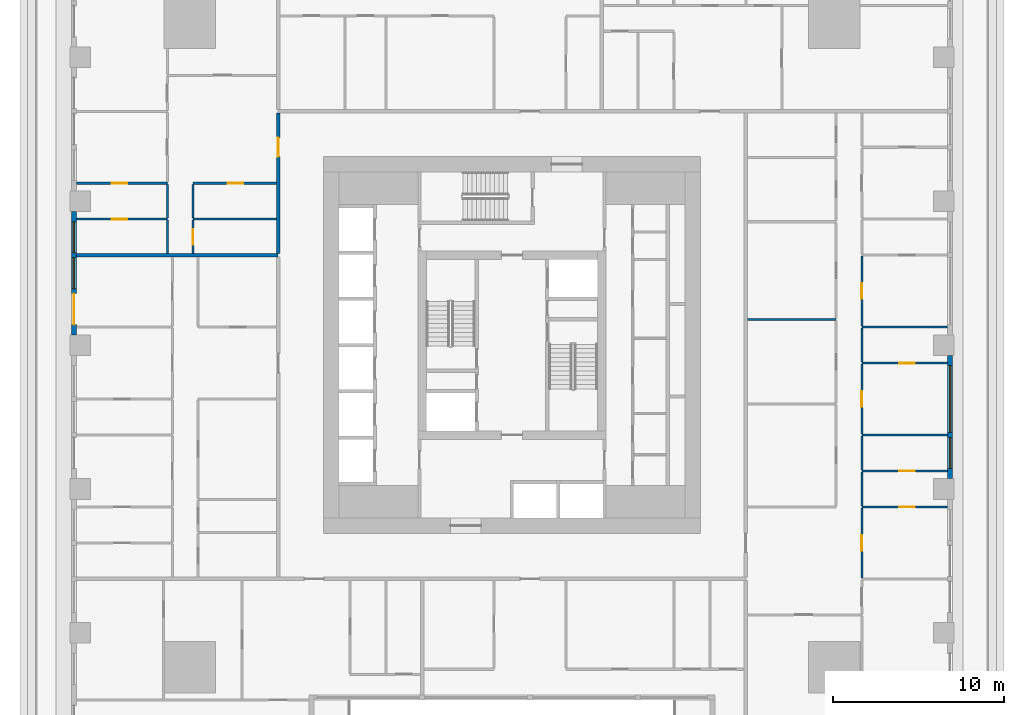
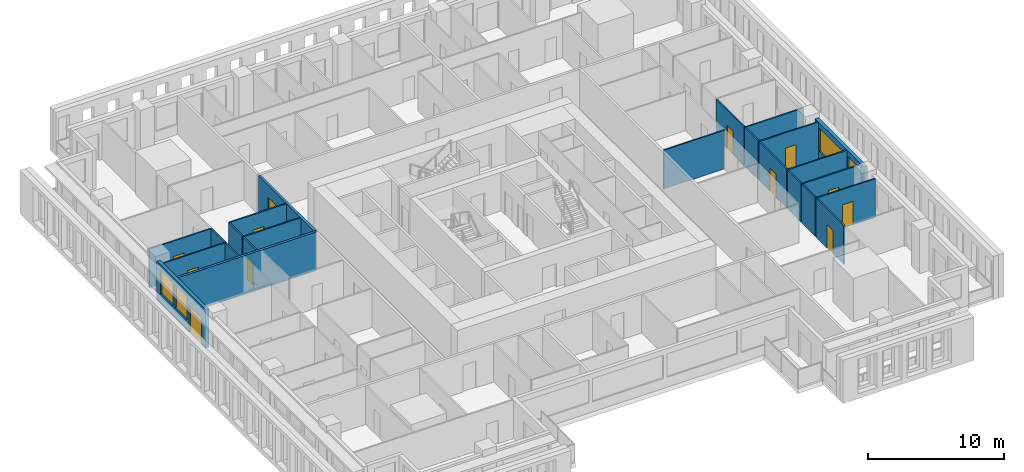
# One storey, part 6 of 15: 24 walls, 12 doors, 4 windows, 16 openings.
"""IFC4 building model written with IfcOpenShell, lengths in metres."""

from ifc_helpers import new_model, si_unit, direction, frame, frame_2d, origin, place, context, subcontext, project, spatial, rectangle, extrude, material, layer, layer_set, type_object, element, fill, save


model = new_model("IFC4")

# Units and contexts
model_context = context("Model", 3, precision=1e-05, world=origin(), true_north=direction((0.0, 1.0)))
body_context = subcontext(model_context, "Body", "Model", "MODEL_VIEW")
ifc_project = project(units=[si_unit("LENGTHUNIT", "METRE"), si_unit("AREAUNIT", "SQUARE_METRE"), si_unit("VOLUMEUNIT", "CUBIC_METRE"), si_unit("PLANEANGLEUNIT", "RADIAN"), si_unit("MASSUNIT", "GRAM", prefix="KILO")], contexts=[model_context])

# Site, building, storey
site_placement = place(None, origin())
site = spatial("IfcSite", under=ifc_project, at=site_placement, CompositionType="ELEMENT")
building_placement = place(site_placement, origin())
building = spatial("IfcBuilding", under=site, at=building_placement, Name="Khepri Terraces", CompositionType="ELEMENT")
storey_placement = place(building_placement, frame((0.0, 0.0, 58.199951171875)))
storey = spatial("IfcBuildingStorey", under=building, at=storey_placement, Name="L13", CompositionType="ELEMENT", Elevation=58.199951171875)

# Wall
ifc_material_1 = material(Name="Fire-rated gypsum plasterboard partition, mineral wool")
ifc_layer_1 = layer(ifc_material_1, 0.199951171875, Name="Fire-rated gypsum plasterboard partition, mineral wool")
ifc_layer_set_1 = layer_set([ifc_layer_1], Name="Fire-rated gypsum plasterboard partition, mineral wool")
wall_type_1 = type_object("IfcWallType", Name="WL-CORR-200", PredefinedType="PARTITIONING", material=ifc_layer_set_1)
wall_1_placement = place(storey_placement, frame((-25.419921875, 5.25, 0.0), z_axis=(0.0, 0.0, 1.0), x_axis=(1.0, 0.0, 0.0)))
element("IfcWall", 1, at=wall_1_placement, inside=storey, type_object=wall_type_1, Name="Partition P-058 L13", PredefinedType="PARTITIONING", context=body_context, shape_type="SweptSolid", body=[
    extrude(rectangle(XDim=11.77001953125, YDim=0.199951171875, at=frame_2d((5.885009765625, 0.0))), origin(), (0.0, 0.0, 1.0), 3.47998046875),
])

# Wall, opening, door
wall_2_placement = place(storey_placement, frame((-13.64990234375, 5.35009765625, 0.0), z_axis=(0.0, 0.0, 1.0), x_axis=(0.0, 1.0, 0.0)))
wall_2 = element("IfcWall", 2, at=wall_2_placement, inside=storey, type_object=wall_type_1, Name="Partition P-063 L13", PredefinedType="PARTITIONING", context=body_context, shape_type="SweptSolid", body=[
    extrude(rectangle(XDim=8.199951171875, YDim=0.199951171875, at=frame_2d((4.10009765625, 0.0))), origin(), (0.0, 0.0, 1.0), 3.47998046875),
])
opening_1_placement = place(wall_2_placement, frame((5.64990234375, 0.0, 0.0)))
opening_1 = element("IfcOpeningElement", 3, at=opening_1_placement, cuts=wall_2, Name="Opening D1", PredefinedType="OPENING", context=body_context, shape_type="SweptSolid", body=[
    extrude(rectangle(XDim=1.10009765625, YDim=2.39990234375, at=frame_2d((0.550048828125, 1.199951171875))), frame((0.0, 0.10986328125, 0.0), z_axis=(0.0, -1.0, 0.0), x_axis=(1.0, 0.0, 0.0)), (0.0, 0.0, 1.0), 0.219970703125),
])
ifc_material_2 = material(Name="Solid-core timber door leaf, flat entrance door", Category="wood")
door_type_1 = type_object("IfcDoorType", Name="DR-ENT-1100", OperationType="NOTDEFINED", PredefinedType="DOOR", material=ifc_material_2)
door_1_placement = place(opening_1_placement, origin())
door_1 = element("IfcDoor", 4, at=door_1_placement, inside=storey, type_object=door_type_1, Name="Flat D1 entrance door", OperationType="SINGLE_SWING_RIGHT", OverallHeight=2.39990234375, OverallWidth=1.10009765625, PredefinedType="DOOR", context=body_context, shape_type="SweptSolid", body=[
    extrude(rectangle(XDim=1.10009765625, YDim=2.39990234375, at=frame_2d((0.550048828125, 1.199951171875))), frame((0.0, 0.02490234375, 0.0), z_axis=(0.0, -1.0, 0.0), x_axis=(1.0, 0.0, 0.0)), (0.0, 0.0, 1.0), 0.050048828125),
])
fill(opening_1, door_1)

# Wall, openings, windows
ifc_material_3 = material(Name="Precast concrete C50/60 warm stone", Category="masonry")
ifc_layer_2 = layer(ifc_material_3, 0.300048828125, Name="Precast concrete C50/60 warm stone", Category="masonry")
ifc_layer_set_2 = layer_set([ifc_layer_2], Name="Precast concrete C50/60 warm stone")
wall_type_2 = type_object("IfcWallType", Name="WL-EXT-PRECAST-300", PredefinedType="STANDARD", material=ifc_layer_set_2)
wall_3_placement = place(storey_placement, frame((25.570068359375, -7.800048828125, 0.0), z_axis=(0.0, 0.0, 1.0), x_axis=(0.0, 1.0, 0.0)))
wall_3 = element("IfcWall", 5, at=wall_3_placement, inside=storey, type_object=wall_type_2, Name="External wall L13 E", PredefinedType="STANDARD", context=body_context, shape_type="SweptSolid", body=[
    extrude(rectangle(XDim=7.199951171875, YDim=0.300048828125, at=frame_2d((3.60009765625, 0.0))), origin(), (0.0, 0.0, 1.0), 3.47998046875),
])
opening_2_placement = place(wall_3_placement, frame((0.60009765625, 0.0, 0.89990234375)))
opening_2 = element("IfcOpeningElement", 6, at=opening_2_placement, cuts=wall_3, Name="Opening W1", PredefinedType="OPENING", context=body_context, shape_type="SweptSolid", body=[
    extrude(rectangle(XDim=1.800048828125, YDim=2.10009765625, at=frame_2d((0.89990234375, 1.050048828125))), frame((0.0, 0.16015625, 0.0), z_axis=(0.0, -1.0, 0.0), x_axis=(1.0, 0.0, 0.0)), (0.0, 0.0, 1.0), 0.320068359375),
])
opening_3_placement = place(wall_3_placement, frame((2.699951171875, 0.0, 0.89990234375)))
opening_3 = element("IfcOpeningElement", 7, at=opening_3_placement, cuts=wall_3, Name="Opening W2", PredefinedType="OPENING", context=body_context, shape_type="SweptSolid", body=[
    extrude(rectangle(XDim=3.89990234375, YDim=2.10009765625, at=frame_2d((1.949951171875, 1.050048828125))), frame((0.0, 0.16015625, 0.0), z_axis=(0.0, -1.0, 0.0), x_axis=(1.0, 0.0, 0.0)), (0.0, 0.0, 1.0), 0.320068359375),
])
ifc_material_4 = material(Name="Clear glass", Category="glass")
window_type_1 = type_object("IfcWindowType", Name="WIN-RES-1800x2100", PartitioningType="SINGLE_PANEL", PredefinedType="WINDOW", material=ifc_material_4)
window_1_placement = place(opening_2_placement, origin())
window_1 = element("IfcWindow", 8, at=window_1_placement, inside=storey, type_object=window_type_1, Name="Window L13 E", OverallHeight=2.10009765625, OverallWidth=1.800048828125, PartitioningType="SINGLE_PANEL", PredefinedType="WINDOW", context=body_context, shape_type="SweptSolid", body=[
    extrude(rectangle(XDim=1.800048828125, YDim=2.10009765625, at=frame_2d((0.89990234375, 1.050048828125))), frame((0.0, 0.030029296875, 0.0), z_axis=(0.0, -1.0, 0.0), x_axis=(1.0, 0.0, 0.0)), (0.0, 0.0, 1.0), 0.06005859375),
])
fill(opening_2, window_1)
window_type_2 = type_object("IfcWindowType", Name="WIN-RES-3900x2100", PartitioningType="SINGLE_PANEL", PredefinedType="WINDOW", material=ifc_material_4)
window_2_placement = place(opening_3_placement, origin())
window_2 = element("IfcWindow", 9, at=window_2_placement, inside=storey, type_object=window_type_2, Name="Window L13 E", OverallHeight=2.10009765625, OverallWidth=3.89990234375, PartitioningType="SINGLE_PANEL", PredefinedType="WINDOW", context=body_context, shape_type="SweptSolid", body=[
    extrude(rectangle(XDim=3.89990234375, YDim=2.10009765625, at=frame_2d((1.949951171875, 1.050048828125))), frame((0.0, 0.030029296875, 0.0), z_axis=(0.0, -1.0, 0.0), x_axis=(1.0, 0.0, 0.0)), (0.0, 0.0, 1.0), 0.06005859375),
])
fill(opening_3, window_2)

# Wall, openings, door, windows
wall_4_placement = place(storey_placement, frame((-25.570068359375, 7.800048828125, 0.0), z_axis=(0.0, 0.0, 1.0), x_axis=(0.0, -1.0, 0.0)))
wall_4 = element("IfcWall", 10, at=wall_4_placement, inside=storey, type_object=wall_type_2, Name="External wall L13 W", PredefinedType="STANDARD", context=body_context, shape_type="SweptSolid", body=[
    extrude(rectangle(XDim=7.199951171875, YDim=0.300048828125, at=frame_2d((3.60009765625, 0.0))), origin(), (0.0, 0.0, 1.0), 3.47998046875),
])
opening_4_placement = place(wall_4_placement, frame((0.60009765625, 0.0, 0.89990234375)))
opening_4 = element("IfcOpeningElement", 11, at=opening_4_placement, cuts=wall_4, Name="Opening W1", PredefinedType="OPENING", context=body_context, shape_type="SweptSolid", body=[
    extrude(rectangle(XDim=1.800048828125, YDim=2.10009765625, at=frame_2d((0.89990234375, 1.050048828125))), frame((0.0, 0.16015625, 0.0), z_axis=(0.0, -1.0, 0.0), x_axis=(1.0, 0.0, 0.0)), (0.0, 0.0, 1.0), 0.320068359375),
])
opening_5_placement = place(wall_4_placement, frame((2.699951171875, 0.0, 0.89990234375)))
opening_5 = element("IfcOpeningElement", 12, at=opening_5_placement, cuts=wall_4, Name="Opening W1", PredefinedType="OPENING", context=body_context, shape_type="SweptSolid", body=[
    extrude(rectangle(XDim=1.800048828125, YDim=2.10009765625, at=frame_2d((0.89990234375, 1.050048828125))), frame((0.0, 0.16015625, 0.0), z_axis=(0.0, -1.0, 0.0), x_axis=(1.0, 0.0, 0.0)), (0.0, 0.0, 1.0), 0.320068359375),
])
opening_6_placement = place(wall_4_placement, frame((4.800048828125, 0.0, 0.0)))
opening_6 = element("IfcOpeningElement", 13, at=opening_6_placement, cuts=wall_4, Name="Opening ED-L13-14", PredefinedType="OPENING", context=body_context, shape_type="SweptSolid", body=[
    extrude(rectangle(XDim=1.800048828125, YDim=2.39990234375, at=frame_2d((0.89990234375, 1.199951171875))), frame((0.0, 0.16015625, 0.0), z_axis=(0.0, -1.0, 0.0), x_axis=(1.0, 0.0, 0.0)), (0.0, 0.0, 1.0), 0.320068359375),
])
ifc_material_5 = material(Name="Anodised aluminium bronze glazed door", Category="aluminium")
door_type_2 = type_object("IfcDoorType", Name="DR-BAL-SLIDE-1800x2400", OperationType="NOTDEFINED", PredefinedType="DOOR", material=ifc_material_5)
door_2_placement = place(opening_6_placement, origin())
door_2 = element("IfcDoor", 14, at=door_2_placement, inside=storey, type_object=door_type_2, Name="Balcony door L13 W", OperationType="SLIDING_TO_RIGHT", OverallHeight=2.39990234375, OverallWidth=1.800048828125, PredefinedType="DOOR", context=body_context, shape_type="SweptSolid", body=[
    extrude(rectangle(XDim=1.800048828125, YDim=2.39990234375, at=frame_2d((0.89990234375, 1.199951171875))), frame((0.0, 0.02490234375, 0.0), z_axis=(0.0, -1.0, 0.0), x_axis=(1.0, 0.0, 0.0)), (0.0, 0.0, 1.0), 0.050048828125),
])
fill(opening_6, door_2)
window_3_placement = place(opening_4_placement, origin())
window_3 = element("IfcWindow", 15, at=window_3_placement, inside=storey, type_object=window_type_1, Name="Window L13 W", OverallHeight=2.10009765625, OverallWidth=1.800048828125, PartitioningType="SINGLE_PANEL", PredefinedType="WINDOW", context=body_context, shape_type="SweptSolid", body=[
    extrude(rectangle(XDim=1.800048828125, YDim=2.10009765625, at=frame_2d((0.89990234375, 1.050048828125))), frame((0.0, 0.030029296875, 0.0), z_axis=(0.0, -1.0, 0.0), x_axis=(1.0, 0.0, 0.0)), (0.0, 0.0, 1.0), 0.06005859375),
])
fill(opening_4, window_3)
window_4_placement = place(opening_5_placement, origin())
window_4 = element("IfcWindow", 16, at=window_4_placement, inside=storey, type_object=window_type_1, Name="Window L13 W", OverallHeight=2.10009765625, OverallWidth=1.800048828125, PartitioningType="SINGLE_PANEL", PredefinedType="WINDOW", context=body_context, shape_type="SweptSolid", body=[
    extrude(rectangle(XDim=1.800048828125, YDim=2.10009765625, at=frame_2d((0.89990234375, 1.050048828125))), frame((0.0, 0.030029296875, 0.0), z_axis=(0.0, -1.0, 0.0), x_axis=(1.0, 0.0, 0.0)), (0.0, 0.0, 1.0), 0.06005859375),
])
fill(opening_5, window_4)

# Wall, opening, door
ifc_material_6 = material(Name="Gypsum plasterboard partition")
ifc_layer_3 = layer(ifc_material_6, 0.1201171875, Name="Gypsum plasterboard partition")
ifc_layer_set_3 = layer_set([ifc_layer_3], Name="Gypsum plasterboard partition")
wall_type_3 = type_object("IfcWallType", Name="WL-PART-120", PredefinedType="PARTITIONING", material=ifc_layer_set_3)
wall_5_placement = place(storey_placement, frame((20.419921875, -13.590087890625, 0.0), z_axis=(0.0, 0.0, 1.0), x_axis=(0.0, 1.0, 0.0)))
wall_5 = element("IfcWall", 17, at=wall_5_placement, inside=storey, type_object=wall_type_3, Name="Partition P-020 L13", PredefinedType="PARTITIONING", context=body_context, shape_type="SweptSolid", body=[
    extrude(rectangle(XDim=4.080078125, YDim=0.1201171875, at=frame_2d((2.0400390625, 0.0))), origin(), (0.0, 0.0, 1.0), 3.47998046875),
])
opening_7_placement = place(wall_5_placement, frame((1.590087890625, 0.0, 0.0)))
opening_7 = element("IfcOpeningElement", 18, at=opening_7_placement, cuts=wall_5, Name="Opening D3", PredefinedType="OPENING", context=body_context, shape_type="SweptSolid", body=[
    extrude(rectangle(XDim=0.89990234375, YDim=2.10009765625, at=frame_2d((0.449951171875, 1.050048828125))), frame((0.0, 0.070068359375, 0.0), z_axis=(0.0, -1.0, 0.0), x_axis=(1.0, 0.0, 0.0)), (0.0, 0.0, 1.0), 0.14013671875),
])
ifc_material_7 = material(Name="Timber door leaf", Category="wood")
door_type_3 = type_object("IfcDoorType", Name="DR-INT-900", OperationType="NOTDEFINED", PredefinedType="DOOR", material=ifc_material_7)
door_3_placement = place(opening_7_placement, frame((0.89990234375, 0.0, 0.0), z_axis=(0.0, 0.0, 1.0), x_axis=(-1.0, 0.0, 0.0)))
door_3 = element("IfcDoor", 19, at=door_3_placement, inside=storey, type_object=door_type_3, Name="Door Master Bedroom", OperationType="SINGLE_SWING_RIGHT", OverallHeight=2.10009765625, OverallWidth=0.89990234375, PredefinedType="DOOR", context=body_context, shape_type="SweptSolid", body=[
    extrude(rectangle(XDim=0.89990234375, YDim=2.10009765625, at=frame_2d((0.449951171875, 1.050048828125))), frame((0.0, 0.02490234375, 0.0), z_axis=(0.0, -1.0, 0.0), x_axis=(1.0, 0.0, 0.0)), (0.0, 0.0, 1.0), 0.050048828125),
])
fill(opening_7, door_3)

wall_6_placement = place(storey_placement, frame((20.419921875, -9.449951171875, 0.0), z_axis=(0.0, 0.0, 1.0), x_axis=(1.0, 0.0, 0.0)))
wall_6 = element("IfcWall", 20, at=wall_6_placement, inside=storey, type_object=wall_type_3, Name="Partition P-031 L13", PredefinedType="PARTITIONING", context=body_context, shape_type="SweptSolid", body=[
    extrude(rectangle(XDim=5.0, YDim=0.1201171875, at=frame_2d((2.5, 0.0))), origin(), (0.0, 0.0, 1.0), 3.47998046875),
])
opening_8_placement = place(wall_6_placement, frame((2.199951171875, 0.0, 0.0)))
opening_8 = element("IfcOpeningElement", 21, at=opening_8_placement, cuts=wall_6, Name="Opening D3", PredefinedType="OPENING", context=body_context, shape_type="SweptSolid", body=[
    extrude(rectangle(XDim=0.89990234375, YDim=2.10009765625, at=frame_2d((0.449951171875, 1.050048828125))), frame((0.0, 0.070068359375, 0.0), z_axis=(0.0, -1.0, 0.0), x_axis=(1.0, 0.0, 0.0)), (0.0, 0.0, 1.0), 0.14013671875),
])
door_4_placement = place(opening_8_placement, origin())
door_4 = element("IfcDoor", 22, at=door_4_placement, inside=storey, type_object=door_type_3, Name="Door Dressing Room", OperationType="SINGLE_SWING_RIGHT", OverallHeight=2.10009765625, OverallWidth=0.89990234375, PredefinedType="DOOR", context=body_context, shape_type="SweptSolid", body=[
    extrude(rectangle(XDim=0.89990234375, YDim=2.10009765625, at=frame_2d((0.449951171875, 1.050048828125))), frame((0.0, 0.02490234375, 0.0), z_axis=(0.0, -1.0, 0.0), x_axis=(1.0, 0.0, 0.0)), (0.0, 0.0, 1.0), 0.050048828125),
])
fill(opening_8, door_4)

# Wall
wall_7_placement = place(storey_placement, frame((20.419921875, -9.389892578125, 0.0), z_axis=(0.0, 0.0, 1.0), x_axis=(0.0, 1.0, 0.0)))
element("IfcWall", 23, at=wall_7_placement, inside=storey, type_object=wall_type_3, Name="Partition P-034 L13", PredefinedType="PARTITIONING", context=body_context, shape_type="SweptSolid", body=[
    extrude(rectangle(XDim=1.97998046875, YDim=0.1201171875, at=frame_2d((0.989990234375, 0.0))), origin(), (0.0, 0.0, 1.0), 3.47998046875),
])

# Wall, opening, door
wall_8_placement = place(storey_placement, frame((20.419921875, -7.35009765625, 0.0), z_axis=(0.0, 0.0, 1.0), x_axis=(1.0, 0.0, 0.0)))
wall_8 = element("IfcWall", 24, at=wall_8_placement, inside=storey, type_object=wall_type_3, Name="Partition P-037 L13", PredefinedType="PARTITIONING", context=body_context, shape_type="SweptSolid", body=[
    extrude(rectangle(XDim=5.0, YDim=0.1201171875, at=frame_2d((2.5, 0.0))), origin(), (0.0, 0.0, 1.0), 3.47998046875),
])
opening_9_placement = place(wall_8_placement, frame((2.199951171875, 0.0, 0.0)))
opening_9 = element("IfcOpeningElement", 25, at=opening_9_placement, cuts=wall_8, Name="Opening D4", PredefinedType="OPENING", context=body_context, shape_type="SweptSolid", body=[
    extrude(rectangle(XDim=0.89990234375, YDim=2.10009765625, at=frame_2d((0.449951171875, 1.050048828125))), frame((0.0, 0.070068359375, 0.0), z_axis=(0.0, -1.0, 0.0), x_axis=(1.0, 0.0, 0.0)), (0.0, 0.0, 1.0), 0.14013671875),
])
ifc_material_8 = material(Name="Timber door leaf, moisture resistant", Category="wood")
door_type_4 = type_object("IfcDoorType", Name="DR-WET-900", OperationType="NOTDEFINED", PredefinedType="DOOR", material=ifc_material_8)
door_5_placement = place(opening_9_placement, origin())
door_5 = element("IfcDoor", 26, at=door_5_placement, inside=storey, type_object=door_type_4, Name="Door Bathroom", OperationType="SINGLE_SWING_RIGHT", OverallHeight=2.10009765625, OverallWidth=0.89990234375, PredefinedType="DOOR", context=body_context, shape_type="SweptSolid", body=[
    extrude(rectangle(XDim=0.89990234375, YDim=2.10009765625, at=frame_2d((0.449951171875, 1.050048828125))), frame((0.0, 0.02490234375, 0.0), z_axis=(0.0, -1.0, 0.0), x_axis=(1.0, 0.0, 0.0)), (0.0, 0.0, 1.0), 0.050048828125),
])
fill(opening_9, door_5)

# Walls
wall_9_placement = place(storey_placement, frame((20.419921875, -7.2900390625, 0.0), z_axis=(0.0, 0.0, 1.0), x_axis=(0.0, 1.0, 0.0)))
element("IfcWall", 27, at=wall_9_placement, inside=storey, type_object=wall_type_3, Name="Partition P-038 L13", PredefinedType="PARTITIONING", context=body_context, shape_type="SweptSolid", body=[
    extrude(rectangle(XDim=1.97998046875, YDim=0.1201171875, at=frame_2d((0.989990234375, 0.0))), origin(), (0.0, 0.0, 1.0), 3.47998046875),
])
wall_10_placement = place(storey_placement, frame((20.419921875, -5.25, 0.0), z_axis=(0.0, 0.0, 1.0), x_axis=(1.0, 0.0, 0.0)))
element("IfcWall", 28, at=wall_10_placement, inside=storey, type_object=wall_type_3, Name="Partition P-040 L13", PredefinedType="PARTITIONING", context=body_context, shape_type="SweptSolid", body=[
    extrude(rectangle(XDim=5.0, YDim=0.1201171875, at=frame_2d((2.5, 0.0))), origin(), (0.0, 0.0, 1.0), 3.47998046875),
])

# Wall, opening, door
wall_11_placement = place(storey_placement, frame((20.419921875, -5.18994140625, 0.0), z_axis=(0.0, 0.0, 1.0), x_axis=(0.0, 1.0, 0.0)))
wall_11 = element("IfcWall", 29, at=wall_11_placement, inside=storey, type_object=wall_type_3, Name="Partition P-042 L13", PredefinedType="PARTITIONING", context=body_context, shape_type="SweptSolid", body=[
    extrude(rectangle(XDim=4.079833984375, YDim=0.1201171875, at=frame_2d((2.0400390625, 0.0))), origin(), (0.0, 0.0, 1.0), 3.47998046875),
])
opening_10_placement = place(wall_11_placement, frame((1.590087890625, 0.0, 0.0)))
opening_10 = element("IfcOpeningElement", 30, at=opening_10_placement, cuts=wall_11, Name="Opening D3", PredefinedType="OPENING", context=body_context, shape_type="SweptSolid", body=[
    extrude(rectangle(XDim=0.89990234375, YDim=2.10009765625, at=frame_2d((0.449951171875, 1.050048828125))), frame((0.0, 0.070068359375, 0.0), z_axis=(0.0, -1.0, 0.0), x_axis=(1.0, 0.0, 0.0)), (0.0, 0.0, 1.0), 0.14013671875),
])
door_6_placement = place(opening_10_placement, frame((0.89990234375, 0.0, 0.0), z_axis=(0.0, 0.0, 1.0), x_axis=(-1.0, 0.0, 0.0)))
door_6 = element("IfcDoor", 31, at=door_6_placement, inside=storey, type_object=door_type_3, Name="Door Bedroom", OperationType="SINGLE_SWING_LEFT", OverallHeight=2.10009765625, OverallWidth=0.89990234375, PredefinedType="DOOR", context=body_context, shape_type="SweptSolid", body=[
    extrude(rectangle(XDim=0.89990234375, YDim=2.10009765625, at=frame_2d((0.449951171875, 1.050048828125))), frame((0.0, 0.02490234375, 0.0), z_axis=(0.0, -1.0, 0.0), x_axis=(1.0, 0.0, 0.0)), (0.0, 0.0, 1.0), 0.050048828125),
])
fill(opening_10, door_6)

wall_12_placement = place(storey_placement, frame((20.419921875, -1.050048828125, 0.0), z_axis=(0.0, 0.0, 1.0), x_axis=(1.0, 0.0, 0.0)))
wall_12 = element("IfcWall", 32, at=wall_12_placement, inside=storey, type_object=wall_type_3, Name="Partition P-048 L13", PredefinedType="PARTITIONING", context=body_context, shape_type="SweptSolid", body=[
    extrude(rectangle(XDim=5.0, YDim=0.1201171875, at=frame_2d((2.5, 0.0))), origin(), (0.0, 0.0, 1.0), 3.47998046875),
])
opening_11_placement = place(wall_12_placement, frame((2.199951171875, 0.0, 0.0)))
opening_11 = element("IfcOpeningElement", 33, at=opening_11_placement, cuts=wall_12, Name="Opening D4", PredefinedType="OPENING", context=body_context, shape_type="SweptSolid", body=[
    extrude(rectangle(XDim=0.89990234375, YDim=2.10009765625, at=frame_2d((0.449951171875, 1.050048828125))), frame((0.0, 0.070068359375, 0.0), z_axis=(0.0, -1.0, 0.0), x_axis=(1.0, 0.0, 0.0)), (0.0, 0.0, 1.0), 0.14013671875),
])
door_7_placement = place(opening_11_placement, origin())
door_7 = element("IfcDoor", 34, at=door_7_placement, inside=storey, type_object=door_type_4, Name="Door Bathroom", OperationType="SINGLE_SWING_RIGHT", OverallHeight=2.10009765625, OverallWidth=0.89990234375, PredefinedType="DOOR", context=body_context, shape_type="SweptSolid", body=[
    extrude(rectangle(XDim=0.89990234375, YDim=2.10009765625, at=frame_2d((0.449951171875, 1.050048828125))), frame((0.0, 0.02490234375, 0.0), z_axis=(0.0, -1.0, 0.0), x_axis=(1.0, 0.0, 0.0)), (0.0, 0.0, 1.0), 0.050048828125),
])
fill(opening_11, door_7)

# Walls
wall_13_placement = place(storey_placement, frame((20.419921875, -0.989990234375, 0.0), z_axis=(0.0, 0.0, 1.0), x_axis=(0.0, 1.0, 0.0)))
element("IfcWall", 35, at=wall_13_placement, inside=storey, type_object=wall_type_3, Name="Partition P-049 L13", PredefinedType="PARTITIONING", context=body_context, shape_type="SweptSolid", body=[
    extrude(rectangle(XDim=1.97998046875, YDim=0.1201171875, at=frame_2d((0.989990234375, 0.0))), origin(), (0.0, 0.0, 1.0), 3.47998046875),
])
wall_14_placement = place(storey_placement, frame((20.419921875, 1.050048828125, 0.0), z_axis=(0.0, 0.0, 1.0), x_axis=(1.0, 0.0, 0.0)))
element("IfcWall", 36, at=wall_14_placement, inside=storey, type_object=wall_type_3, Name="Partition P-052 L13", PredefinedType="PARTITIONING", context=body_context, shape_type="SweptSolid", body=[
    extrude(rectangle(XDim=5.0, YDim=0.1201171875, at=frame_2d((2.5, 0.0))), origin(), (0.0, 0.0, 1.0), 3.47998046875),
])

# Wall, opening, door
wall_15_placement = place(storey_placement, frame((20.419921875, 1.110107421875, 0.0), z_axis=(0.0, 0.0, 1.0), x_axis=(0.0, 1.0, 0.0)))
wall_15 = element("IfcWall", 37, at=wall_15_placement, inside=storey, type_object=wall_type_3, Name="Partition P-055 L13", PredefinedType="PARTITIONING", context=body_context, shape_type="SweptSolid", body=[
    extrude(rectangle(XDim=4.079833984375, YDim=0.1201171875, at=frame_2d((2.0400390625, 0.0))), origin(), (0.0, 0.0, 1.0), 3.47998046875),
])
opening_12_placement = place(wall_15_placement, frame((1.590087890625, 0.0, 0.0)))
opening_12 = element("IfcOpeningElement", 38, at=opening_12_placement, cuts=wall_15, Name="Opening D3", PredefinedType="OPENING", context=body_context, shape_type="SweptSolid", body=[
    extrude(rectangle(XDim=0.89990234375, YDim=2.10009765625, at=frame_2d((0.449951171875, 1.050048828125))), frame((0.0, 0.070068359375, 0.0), z_axis=(0.0, -1.0, 0.0), x_axis=(1.0, 0.0, 0.0)), (0.0, 0.0, 1.0), 0.14013671875),
])
door_8_placement = place(opening_12_placement, frame((0.89990234375, 0.0, 0.0), z_axis=(0.0, 0.0, 1.0), x_axis=(-1.0, 0.0, 0.0)))
door_8 = element("IfcDoor", 39, at=door_8_placement, inside=storey, type_object=door_type_3, Name="Door Bedroom", OperationType="SINGLE_SWING_LEFT", OverallHeight=2.10009765625, OverallWidth=0.89990234375, PredefinedType="DOOR", context=body_context, shape_type="SweptSolid", body=[
    extrude(rectangle(XDim=0.89990234375, YDim=2.10009765625, at=frame_2d((0.449951171875, 1.050048828125))), frame((0.0, 0.02490234375, 0.0), z_axis=(0.0, -1.0, 0.0), x_axis=(1.0, 0.0, 0.0)), (0.0, 0.0, 1.0), 0.050048828125),
])
fill(opening_12, door_8)

# Walls
wall_16_placement = place(storey_placement, frame((13.75, 1.5, 0.0), z_axis=(0.0, 0.0, 1.0), x_axis=(1.0, 0.0, 0.0)))
element("IfcWall", 40, at=wall_16_placement, inside=storey, type_object=wall_type_3, Name="Partition P-056 L13", PredefinedType="PARTITIONING", context=body_context, shape_type="SweptSolid", body=[
    extrude(rectangle(XDim=5.169921875, YDim=0.1201171875, at=frame_2d((2.5849609375, 0.0))), origin(), (0.0, 0.0, 1.0), 3.47998046875),
])
wall_17_placement = place(storey_placement, frame((-20.1201171875, 5.35009765625, 0.0), z_axis=(0.0, 0.0, 1.0), x_axis=(0.0, 1.0, 0.0)))
element("IfcWall", 41, at=wall_17_placement, inside=storey, type_object=wall_type_3, Name="Partition P-061 L13", PredefinedType="PARTITIONING", context=body_context, shape_type="SweptSolid", body=[
    extrude(rectangle(XDim=1.93994140625, YDim=0.1201171875, at=frame_2d((0.969970703125, 0.0))), origin(), (0.0, 0.0, 1.0), 3.47998046875),
])

# Wall, opening, door
wall_18_placement = place(storey_placement, frame((-18.6201171875, 5.35009765625, 0.0), z_axis=(0.0, 0.0, 1.0), x_axis=(0.0, 1.0, 0.0)))
wall_18 = element("IfcWall", 42, at=wall_18_placement, inside=storey, type_object=wall_type_3, Name="Partition P-062 L13", PredefinedType="PARTITIONING", context=body_context, shape_type="SweptSolid", body=[
    extrude(rectangle(XDim=1.93994140625, YDim=0.1201171875, at=frame_2d((0.969970703125, 0.0))), origin(), (0.0, 0.0, 1.0), 3.47998046875),
])
opening_13_placement = place(wall_18_placement, frame((0.5, 0.0, 0.0)))
opening_13 = element("IfcOpeningElement", 43, at=opening_13_placement, cuts=wall_18, Name="Opening D3", PredefinedType="OPENING", context=body_context, shape_type="SweptSolid", body=[
    extrude(rectangle(XDim=0.89990234375, YDim=2.10009765625, at=frame_2d((0.449951171875, 1.050048828125))), frame((0.0, 0.070068359375, 0.0), z_axis=(0.0, -1.0, 0.0), x_axis=(1.0, 0.0, 0.0)), (0.0, 0.0, 1.0), 0.14013671875),
])
door_9_placement = place(opening_13_placement, frame((0.89990234375, 0.0, 0.0), z_axis=(0.0, 0.0, 1.0), x_axis=(-1.0, 0.0, 0.0)))
door_9 = element("IfcDoor", 44, at=door_9_placement, inside=storey, type_object=door_type_3, Name="Door Kitchen", OperationType="SINGLE_SWING_RIGHT", OverallHeight=2.10009765625, OverallWidth=0.89990234375, PredefinedType="DOOR", context=body_context, shape_type="SweptSolid", body=[
    extrude(rectangle(XDim=0.89990234375, YDim=2.10009765625, at=frame_2d((0.449951171875, 1.050048828125))), frame((0.0, 0.02490234375, 0.0), z_axis=(0.0, -1.0, 0.0), x_axis=(1.0, 0.0, 0.0)), (0.0, 0.0, 1.0), 0.050048828125),
])
fill(opening_13, door_9)

wall_19_placement = place(storey_placement, frame((-25.419921875, 7.35009765625, 0.0), z_axis=(0.0, 0.0, 1.0), x_axis=(1.0, 0.0, 0.0)))
wall_19 = element("IfcWall", 45, at=wall_19_placement, inside=storey, type_object=wall_type_3, Name="Partition P-066 L13", PredefinedType="PARTITIONING", context=body_context, shape_type="SweptSolid", body=[
    extrude(rectangle(XDim=5.2998046875, YDim=0.1201171875, at=frame_2d((2.64990234375, 0.0))), origin(), (0.0, 0.0, 1.0), 3.47998046875),
])
opening_14_placement = place(wall_19_placement, frame((2.050048828125, 0.0, 0.0)))
opening_14 = element("IfcOpeningElement", 46, at=opening_14_placement, cuts=wall_19, Name="Opening D4", PredefinedType="OPENING", context=body_context, shape_type="SweptSolid", body=[
    extrude(rectangle(XDim=0.89990234375, YDim=2.10009765625, at=frame_2d((0.449951171875, 1.050048828125))), frame((0.0, 0.070068359375, 0.0), z_axis=(0.0, -1.0, 0.0), x_axis=(1.0, 0.0, 0.0)), (0.0, 0.0, 1.0), 0.14013671875),
])
door_10_placement = place(opening_14_placement, frame((0.89990234375, 0.0, 0.0), z_axis=(0.0, 0.0, 1.0), x_axis=(-1.0, 0.0, 0.0)))
door_10 = element("IfcDoor", 47, at=door_10_placement, inside=storey, type_object=door_type_4, Name="Door Bathroom", OperationType="SINGLE_SWING_RIGHT", OverallHeight=2.10009765625, OverallWidth=0.89990234375, PredefinedType="DOOR", context=body_context, shape_type="SweptSolid", body=[
    extrude(rectangle(XDim=0.89990234375, YDim=2.10009765625, at=frame_2d((0.449951171875, 1.050048828125))), frame((0.0, 0.02490234375, 0.0), z_axis=(0.0, -1.0, 0.0), x_axis=(1.0, 0.0, 0.0)), (0.0, 0.0, 1.0), 0.050048828125),
])
fill(opening_14, door_10)

# Walls
wall_20_placement = place(storey_placement, frame((-18.6201171875, 7.35009765625, 0.0), z_axis=(0.0, 0.0, 1.0), x_axis=(1.0, 0.0, 0.0)))
element("IfcWall", 48, at=wall_20_placement, inside=storey, type_object=wall_type_3, Name="Partition P-067 L13", PredefinedType="PARTITIONING", context=body_context, shape_type="SweptSolid", body=[
    extrude(rectangle(XDim=4.8701171875, YDim=0.1201171875, at=frame_2d((2.43505859375, 0.0))), origin(), (0.0, 0.0, 1.0), 3.47998046875),
])
for number, where, z_axis, x_axis, name in (
    (49, (-20.1201171875, 7.409912109375, 0.0), (0.0, 0.0, 1.0), (0.0, 1.0, 0.0), "Partition P-069 L13"),
    (50, (-18.6201171875, 7.409912109375, 0.0), (0.0, 0.0, 1.0), (0.0, 1.0, 0.0), "Partition P-070 L13"),
):
    element("IfcWall", number, at=place(storey_placement, frame(where, z_axis=z_axis, x_axis=x_axis)), inside=storey, type_object=wall_type_3, Name=name, PredefinedType="PARTITIONING", context=body_context, shape_type="SweptSolid", body=[
        extrude(rectangle(XDim=1.97998046875, YDim=0.1201171875, at=frame_2d((0.989990234375, 0.0))), origin(), (0.0, 0.0, 1.0), 3.47998046875),
    ])

# Wall, opening, door
wall_21_placement = place(storey_placement, frame((-25.419921875, 9.449951171875, 0.0), z_axis=(0.0, 0.0, 1.0), x_axis=(1.0, 0.0, 0.0)))
wall_21 = element("IfcWall", 51, at=wall_21_placement, inside=storey, type_object=wall_type_3, Name="Partition P-072 L13", PredefinedType="PARTITIONING", context=body_context, shape_type="SweptSolid", body=[
    extrude(rectangle(XDim=5.2998046875, YDim=0.1201171875, at=frame_2d((2.64990234375, 0.0))), origin(), (0.0, 0.0, 1.0), 3.47998046875),
])
opening_15_placement = place(wall_21_placement, frame((2.050048828125, 0.0, 0.0)))
opening_15 = element("IfcOpeningElement", 52, at=opening_15_placement, cuts=wall_21, Name="Opening D3", PredefinedType="OPENING", context=body_context, shape_type="SweptSolid", body=[
    extrude(rectangle(XDim=0.89990234375, YDim=2.10009765625, at=frame_2d((0.449951171875, 1.050048828125))), frame((0.0, 0.070068359375, 0.0), z_axis=(0.0, -1.0, 0.0), x_axis=(1.0, 0.0, 0.0)), (0.0, 0.0, 1.0), 0.14013671875),
])
door_11_placement = place(opening_15_placement, frame((0.89990234375, 0.0, 0.0), z_axis=(0.0, 0.0, 1.0), x_axis=(-1.0, 0.0, 0.0)))
door_11 = element("IfcDoor", 53, at=door_11_placement, inside=storey, type_object=door_type_3, Name="Door Dressing Room", OperationType="SINGLE_SWING_RIGHT", OverallHeight=2.10009765625, OverallWidth=0.89990234375, PredefinedType="DOOR", context=body_context, shape_type="SweptSolid", body=[
    extrude(rectangle(XDim=0.89990234375, YDim=2.10009765625, at=frame_2d((0.449951171875, 1.050048828125))), frame((0.0, 0.02490234375, 0.0), z_axis=(0.0, -1.0, 0.0), x_axis=(1.0, 0.0, 0.0)), (0.0, 0.0, 1.0), 0.050048828125),
])
fill(opening_15, door_11)

wall_22_placement = place(storey_placement, frame((-18.6201171875, 9.449951171875, 0.0), z_axis=(0.0, 0.0, 1.0), x_axis=(1.0, 0.0, 0.0)))
wall_22 = element("IfcWall", 54, at=wall_22_placement, inside=storey, type_object=wall_type_3, Name="Partition P-073 L13", PredefinedType="PARTITIONING", context=body_context, shape_type="SweptSolid", body=[
    extrude(rectangle(XDim=4.8701171875, YDim=0.1201171875, at=frame_2d((2.43505859375, 0.0))), origin(), (0.0, 0.0, 1.0), 3.47998046875),
])
opening_16_placement = place(wall_22_placement, frame((2.034912109375, 0.0, 0.0)))
opening_16 = element("IfcOpeningElement", 55, at=opening_16_placement, cuts=wall_22, Name="Opening D4", PredefinedType="OPENING", context=body_context, shape_type="SweptSolid", body=[
    extrude(rectangle(XDim=0.89990234375, YDim=2.10009765625, at=frame_2d((0.449951171875, 1.050048828125))), frame((0.0, 0.070068359375, 0.0), z_axis=(0.0, -1.0, 0.0), x_axis=(1.0, 0.0, 0.0)), (0.0, 0.0, 1.0), 0.14013671875),
])
door_12_placement = place(opening_16_placement, frame((0.89990234375, 0.0, 0.0), z_axis=(0.0, 0.0, 1.0), x_axis=(-1.0, 0.0, 0.0)))
door_12 = element("IfcDoor", 56, at=door_12_placement, inside=storey, type_object=door_type_4, Name="Door Guest Bathroom", OperationType="SINGLE_SWING_LEFT", OverallHeight=2.10009765625, OverallWidth=0.89990234375, PredefinedType="DOOR", context=body_context, shape_type="SweptSolid", body=[
    extrude(rectangle(XDim=0.89990234375, YDim=2.10009765625, at=frame_2d((0.449951171875, 1.050048828125))), frame((0.0, 0.02490234375, 0.0), z_axis=(0.0, -1.0, 0.0), x_axis=(1.0, 0.0, 0.0)), (0.0, 0.0, 1.0), 0.050048828125),
])
fill(opening_16, door_12)

save(model, "model.ifc")
